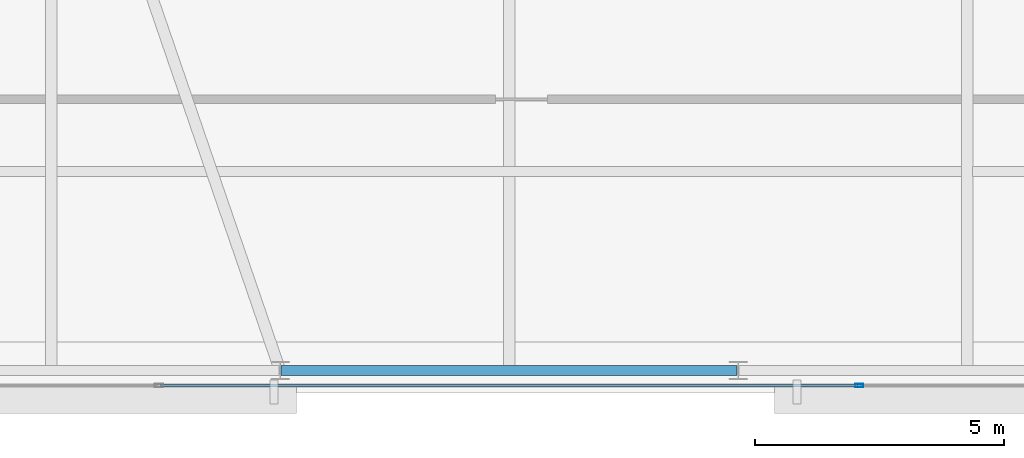
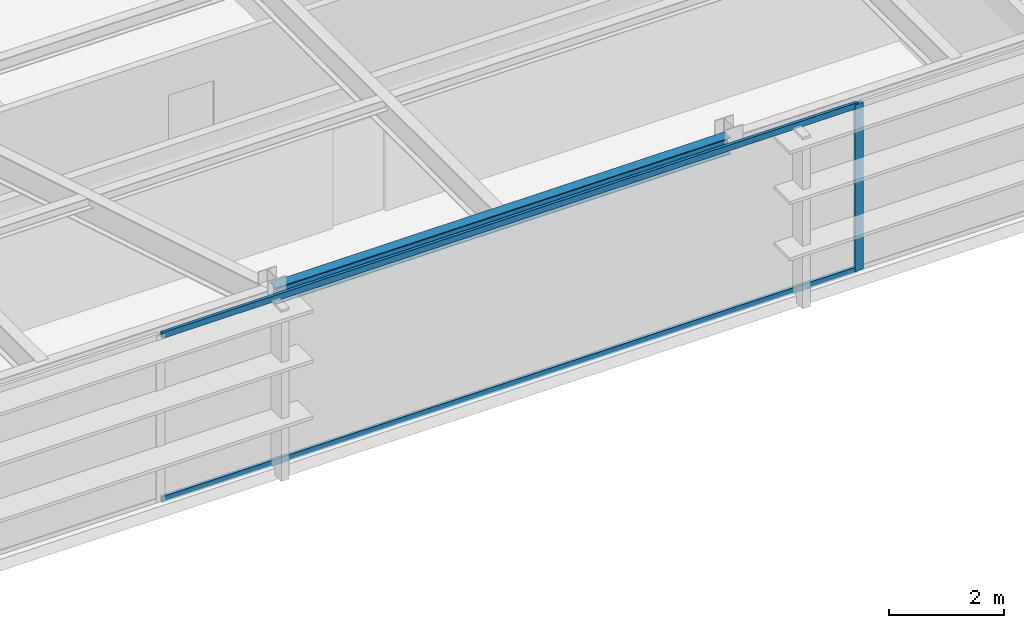
# One storey, part 7 of 25: 3 members, 1 beam, 1 element without a shape of its own.
"""IFC4 building model written with IfcOpenShell, lengths in metres."""

from ifc_helpers import new_model, si_unit, direction, frame, origin, origin_2d, place, context, subcontext, project, spatial, hollow_rectangle, i_section, extrude, source, transform, mapped, material, layer, layer_set, material_profile, profile_set, type_object, type_shapes, element, aggregate, save


model = new_model("IFC4")

# Units and contexts
model_context = context("Model", 3, precision=1e-05, world=origin(), true_north=direction((0.0, 1.0)))
body_context = subcontext(model_context, "Body", "Model", "MODEL_VIEW")
ifc_project = project(units=[si_unit("LENGTHUNIT", "METRE"), si_unit("AREAUNIT", "SQUARE_METRE"), si_unit("VOLUMEUNIT", "CUBIC_METRE"), si_unit("PLANEANGLEUNIT", "RADIAN"), si_unit("MASSUNIT", "GRAM", prefix="KILO")], contexts=[model_context])

# Site, building, storey
site_placement = place(None, origin())
site = spatial("IfcSite", under=ifc_project, at=site_placement, CompositionType="ELEMENT")
building_placement = place(site_placement, origin())
building = spatial("IfcBuilding", under=site, at=building_placement, Name="Varnel Quay Broadcast Tower", CompositionType="ELEMENT")
storey_placement = place(building_placement, frame((0.0, 0.0, 226.39990234375)))
storey = spatial("IfcBuildingStorey", under=building, at=storey_placement, Name="L56", CompositionType="ELEMENT", Elevation=226.39990234375)

# Beam
ifc_material_1 = material(Name="Structural Steel CSA G40.21 350W", Category="steel")
ifc_material_profile_1 = material_profile(ifc_material_1, i_section(OverallWidth=0.205078125, OverallDepth=0.35400390625, WebThickness=0.009521484375, FlangeThickness=0.016845703125, FilletRadius=0.012939453125, at=origin_2d()), Name="W360X79")
ifc_profile_set_1 = profile_set([ifc_material_profile_1], Name="Structural Steel CSA G40.21 350W")
beam_type = type_object("IfcBeamType", Name="Beam_W360X79", PredefinedType="SPANDREL", material=ifc_profile_set_1)
shared_shape_1 = source(origin(), body_context, "Body", "SweptSolid", [
    extrude(i_section(OverallWidth=0.205078125, OverallDepth=0.35400390625, WebThickness=0.009521484375, FlangeThickness=0.016845703125, FilletRadius=0.012939453125, at=origin_2d()), origin(), (0.0, 0.0, 1.0), 9.16015625),
])
type_shapes(beam_type, [shared_shape_1])
beam_placement = place(storey_placement, frame((29.419921875, 10.64990234375, 3.373046875), z_axis=(1.0, 0.0, 0.0), x_axis=(0.0, 1.0, 0.0)))
element("IfcBeam", 1, at=beam_placement, inside=storey, type_object=beam_type, Name="L56 South Spandrel TC-S2-TC-S3", PredefinedType="SPANDREL", context=body_context, shape_type="MappedRepresentation", body=[
    mapped(shared_shape_1, transform((0.0, 0.0, 0.0), x_axis=(1.0, 0.0, 0.0), y_axis=(0.0, 1.0, 0.0), z_axis=(0.0, 0.0, 1.0), scale=1.0)),
])

# Curtain wall, members
ifc_material_2 = material(Name="Anodised Bronze Aluminium 6063-T6", Category="aluminium")
ifc_layer = layer(ifc_material_2, 0.18994140625, Name="Anodised Bronze Aluminium 6063-T6")
ifc_layer_set = layer_set([ifc_layer], Name="Anodised Bronze Aluminium 6063-T6")
curtain_wall_type = type_object("IfcCurtainWallType", Name="CW_UpperTower", PredefinedType="NOTDEFINED", material=ifc_layer_set)
curtain_wall_placement = place(storey_placement, origin())
curtain_wall = element("IfcCurtainWall", 2, at=curtain_wall_placement, inside=storey, type_object=curtain_wall_type, Name="L56 South Unitised Curtain Wall 1", PredefinedType="NOTDEFINED")
ifc_material_profile_2 = material_profile(ifc_material_2, hollow_rectangle(XDim=0.06494140625, YDim=0.1650390625, WallThickness=0.00341796875, at=origin_2d()), Name="ALU65X165X3.5")
ifc_profile_set_2 = profile_set([ifc_material_profile_2], Name="Anodised Bronze Aluminium 6063-T6")
member_type_1 = type_object("IfcMemberType", Name="Mull_CWS-03", PredefinedType="MULLION", material=ifc_profile_set_2)
shared_shape_2 = source(origin(), body_context, "Body", "SweptSolid", [
    extrude(hollow_rectangle(XDim=0.06494140625, YDim=0.1650390625, WallThickness=0.00341796875, at=origin_2d()), origin(), (0.0, 0.0, 1.0), 3.550048828125),
])
type_shapes(member_type_1, [shared_shape_2])
member_1_placement = place(storey_placement, frame((41.033447265625, 10.35009765625, 0.0), z_axis=(0.0, 0.0, 1.0), x_axis=(0.0, 1.0, 0.0)))
member_1 = element("IfcMember", 3, at=member_1_placement, type_object=member_type_1, Name="CWS-03 mullion 3", PredefinedType="MULLION", context=body_context, shape_type="MappedRepresentation", body=[
    mapped(shared_shape_2, transform((0.0, 0.0, 0.0), x_axis=(1.0, 0.0, 0.0), y_axis=(0.0, 1.0, 0.0), z_axis=(0.0, 0.0, 1.0), scale=1.0)),
])
ifc_material_profile_3 = material_profile(ifc_material_2, hollow_rectangle(XDim=0.06005859375, YDim=0.125, WallThickness=0.0029296875, at=origin_2d()), Name="ALU60X125X3")
ifc_profile_set_3 = profile_set([ifc_material_profile_3], Name="Anodised Bronze Aluminium 6063-T6")
member_type_2 = type_object("IfcMemberType", Name="Tran_CWS-03", PredefinedType="USERDEFINED", material=ifc_profile_set_3)
shared_shape_3 = source(origin(), body_context, "Body", "SweptSolid", [
    extrude(hollow_rectangle(XDim=0.06005859375, YDim=0.125, WallThickness=0.0029296875, at=origin_2d()), origin(), (0.0, 0.0, 1.0), 14.00146484375),
])
type_shapes(member_type_2, [shared_shape_3])
member_2_placement = place(storey_placement, frame((26.999267578125, 10.35009765625, 0.030029296875), z_axis=(1.0, 0.0, 0.0), x_axis=(0.0, 1.0, 0.0)))
member_2 = element("IfcMember", 4, at=member_2_placement, type_object=member_type_2, Name="CWS-03 transom 2.1", ObjectType="TRANSOM", PredefinedType="USERDEFINED", context=body_context, shape_type="MappedRepresentation", body=[
    mapped(shared_shape_3, transform((0.0, 0.0, 0.0), x_axis=(1.0, 0.0, 0.0), y_axis=(0.0, 1.0, 0.0), z_axis=(0.0, 0.0, 1.0), scale=1.0)),
])
member_3_placement = place(storey_placement, frame((26.999267578125, 10.35009765625, 3.52001953125), z_axis=(1.0, 0.0, 0.0), x_axis=(0.0, 1.0, 0.0)))
member_3 = element("IfcMember", 5, at=member_3_placement, type_object=member_type_2, Name="CWS-03 transom 2.2", ObjectType="TRANSOM", PredefinedType="USERDEFINED", context=body_context, shape_type="MappedRepresentation", body=[
    mapped(shared_shape_3, transform((0.0, 0.0, 0.0), x_axis=(1.0, 0.0, 0.0), y_axis=(0.0, 1.0, 0.0), z_axis=(0.0, 0.0, 1.0), scale=1.0)),
])
aggregate(curtain_wall, [member_1, member_2, member_3])

save(model, "model.ifc")
